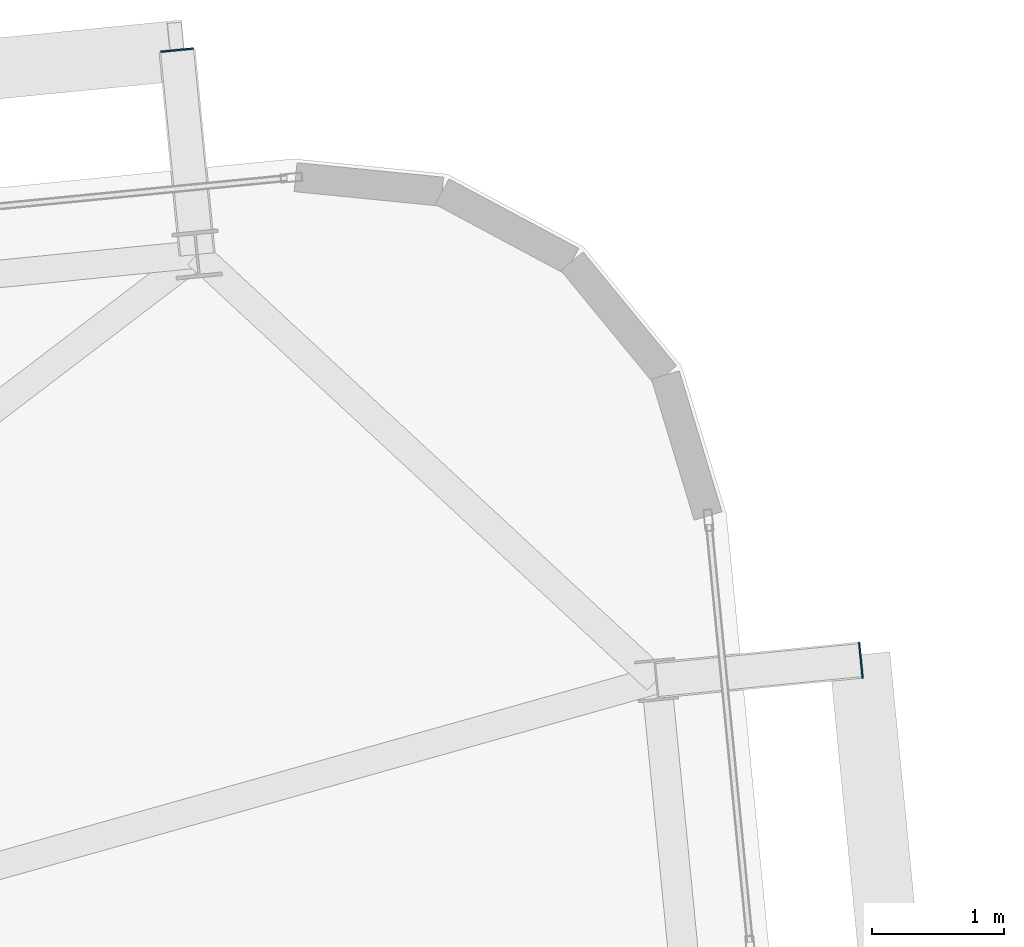
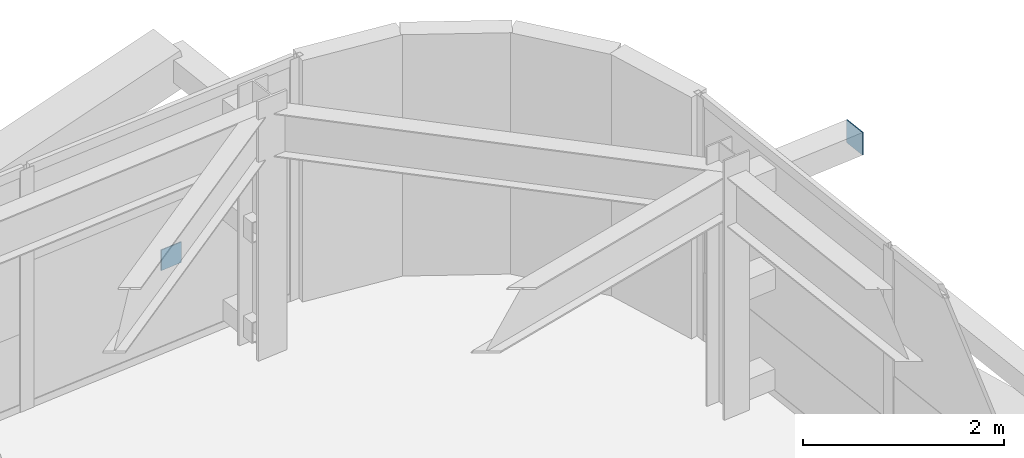
# One storey, part 45 of 54: 2 plates.
"""IFC4 building model written with IfcOpenShell, lengths in metres."""

from ifc_helpers import new_model, si_unit, direction, frame, origin, origin_2d, place, context, subcontext, project, spatial, rectangle, extrude, source, transform, mapped, material, layer, layer_set, type_object, element, save


model = new_model("IFC4")

# Units and contexts
model_context = context("Model", 3, precision=1e-05, world=origin(), true_north=direction((0.0, 1.0)))
body_context = subcontext(model_context, "Body", "Model", "MODEL_VIEW")
ifc_project = project(units=[si_unit("LENGTHUNIT", "METRE"), si_unit("AREAUNIT", "SQUARE_METRE"), si_unit("VOLUMEUNIT", "CUBIC_METRE"), si_unit("PLANEANGLEUNIT", "RADIAN"), si_unit("MASSUNIT", "GRAM", prefix="KILO")], contexts=[model_context])

# Site, building, storey
site_placement = place(None, origin())
site = spatial("IfcSite", under=ifc_project, at=site_placement, CompositionType="ELEMENT")
building_placement = place(site_placement, origin())
building = spatial("IfcBuilding", under=site, at=building_placement, Name="Taldren Reach Tower", CompositionType="ELEMENT")
storey_placement = place(building_placement, frame((0.0, 0.0, 99.75)))
storey = spatial("IfcBuildingStorey", under=building, at=storey_placement, Name="L30", CompositionType="ELEMENT", Elevation=99.75)

# Plates
ifc_material_1 = material(Name="Steel Gr 450 (C450L0)", Category="steel")
ifc_layer_1 = layer(ifc_material_1, 0.011962890625)
ifc_layer_set_1 = layer_set([ifc_layer_1], Name="Steel Gr 450 (C450L0)")
plate_type_1 = type_object("IfcPlateType", Name="PL-CAP-275", PredefinedType="SHEET", material=ifc_layer_set_1)
shared_shape_1 = source(origin(), body_context, "Body", "SweptSolid", [
    extrude(rectangle(XDim=0.011962890625, YDim=0.27490234375, at=origin_2d()), origin(), (0.0, 0.0, 1.0), 0.27490234375),
])
plate_1_placement = place(storey_placement, frame((64.7958984375, 35.60595703125, 2.512451171875), z_axis=(0.0, 0.0, 1.0), x_axis=(0.995227399982, 0.097582899759, 0.0)))
element("IfcPlate", 1, at=plate_1_placement, inside=storey, type_object=plate_type_1, Name="Tie strut end cap plate B2-E3 L30", PredefinedType="SHEET", context=body_context, shape_type="MappedRepresentation", body=[
    mapped(shared_shape_1, transform((0.0, 0.0, 0.0), scale=1.0)),
])
ifc_material_2 = material(Name="Steel Gr 350 (C350L0)", Category="steel")
ifc_layer_2 = layer(ifc_material_2, 0.011962890625)
ifc_layer_set_2 = layer_set([ifc_layer_2], Name="Steel Gr 350 (C350L0)")
plate_type_2 = type_object("IfcPlateType", Name="PL-CAP-250", PredefinedType="SHEET", material=ifc_layer_set_2)
shared_shape_2 = source(origin(), body_context, "Body", "SweptSolid", [
    extrude(rectangle(XDim=0.25, YDim=0.011962890625, at=origin_2d()), origin(), (0.0, 0.0, 1.0), 0.25),
])
plate_2_placement = place(storey_placement, frame((59.614013671875, 40.228515625, 0.094970703125), z_axis=(0.0, 0.0, 1.0), x_axis=(0.995227399982, 0.097582899759, 0.0)))
element("IfcPlate", 2, at=plate_2_placement, inside=storey, type_object=plate_type_2, Name="Tie strut end cap plate B2-N6 L30", PredefinedType="SHEET", context=body_context, shape_type="MappedRepresentation", body=[
    mapped(shared_shape_2, transform((0.0, 0.0, 0.0), scale=1.0)),
])

save(model, "model.ifc")
